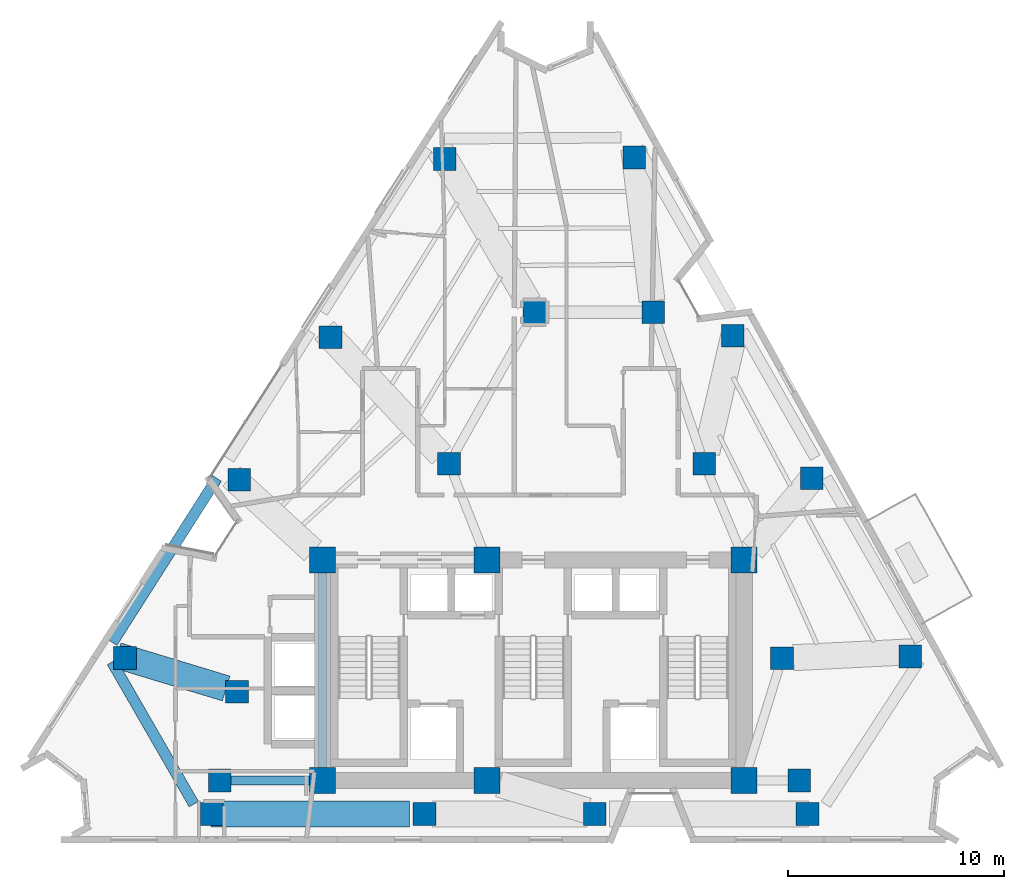
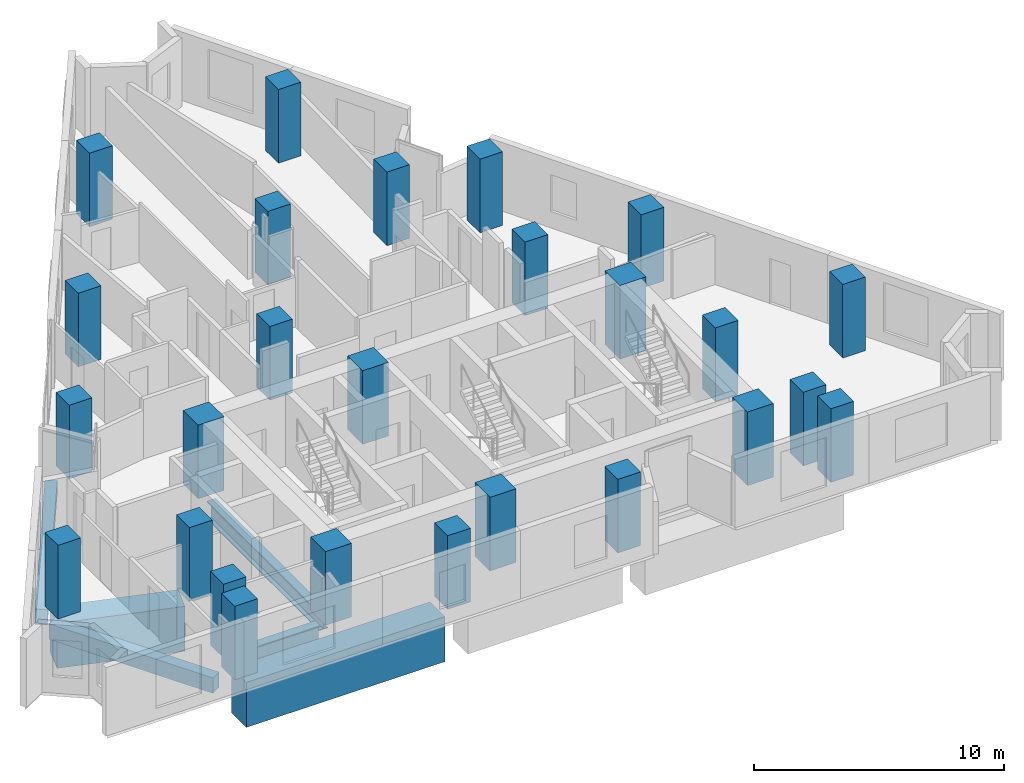
# One storey, part 1 of 11: 26 columns, 6 beams.
"""IFC4 building model written with IfcOpenShell, lengths in metres."""

from ifc_helpers import new_model, si_unit, direction, frame, origin, origin_2d, place, context, subcontext, project, spatial, rectangle, i_section, extrude, material, material_profile, profile_set, type_object, element, save


model = new_model("IFC4")

# Units and contexts
model_context = context("Model", 3, precision=1e-05, world=origin(), true_north=direction((0.0, 1.0)))
body_context = subcontext(model_context, "Body", "Model", "MODEL_VIEW")
ifc_project = project(units=[si_unit("LENGTHUNIT", "METRE"), si_unit("AREAUNIT", "SQUARE_METRE"), si_unit("VOLUMEUNIT", "CUBIC_METRE"), si_unit("PLANEANGLEUNIT", "RADIAN"), si_unit("MASSUNIT", "GRAM", prefix="KILO")], contexts=[model_context])

# Site, building, storey
site_placement = place(None, origin())
site = spatial("IfcSite", under=ifc_project, at=site_placement, CompositionType="ELEMENT")
building_placement = place(site_placement, origin())
building = spatial("IfcBuilding", under=site, at=building_placement, Name="Almagre Mirador Tower", CompositionType="ELEMENT")
storey_placement = place(building_placement, frame((0.0, 0.0, 153.60009765625)))
storey = spatial("IfcBuildingStorey", under=building, at=storey_placement, Name="L39", CompositionType="ELEMENT", Elevation=153.60009765625)

# Columns
ifc_material_1 = material(Name="Concrete C60/75", Category="concrete")
ifc_material_profile_1 = material_profile(ifc_material_1, rectangle(XDim=1.050048828125, YDim=1.050048828125, at=origin_2d()), Name="RC1050X1050")
ifc_profile_set_1 = profile_set([ifc_material_profile_1], Name="Concrete C60/75")
column_type_1 = type_object("IfcColumnType", Name="COL-RC1050", PredefinedType="COLUMN", material=ifc_profile_set_1)
for number, where, z_axis, x_axis, name in (
    (1, (22.800048828125, 4.550048828125, 0.0), (0.0, 0.0, 1.0), (1.0, 0.0, 0.0), "L39 interior transfer column MC1"),
    (2, (49.60009765625, 4.550048828125, 0.0), (0.0, 0.0, 1.0), (1.0, 0.0, 0.0), "L39 interior transfer column MC2"),
    (3, (48.800048828125, 10.199951171875, 0.0), (0.0, 0.0, 1.0), (1.0, 0.0, 0.0), "L39 interior transfer column MC3"),
    (4, (45.199951171875, 19.199951171875, 0.0), (0.0, 0.0, 1.0), (1.0, 0.0, 0.0), "L39 interior transfer column MC5"),
    (5, (42.85009765625, 26.199951171875, 0.0), (0.0, 0.0, 1.0), (1.0, 0.0, 0.0), "L39 interior transfer column MC6"),
    (6, (37.35009765625, 26.199951171875, 0.0), (0.0, 0.0, 1.0), (1.0, 0.0, 0.0), "L39 interior transfer column MC7"),
    (7, (33.39990234375, 19.199951171875, 0.0), (0.0, 0.0, 1.0), (1.0, 0.0, 0.0), "L39 interior transfer column MC8"),
    (8, (23.60009765625, 8.64990234375, 0.0), (0.0, 0.0, 1.0), (1.0, 0.0, 0.0), "L39 interior transfer column MC10"),
    (9, (22.424072265625, 3.0, 0.0), (0.0, 0.0, 1.0), (1.0, 0.0, 0.0), "L39 perimeter column PC01"),
    (10, (32.263916015625, 3.0, 0.0), (0.0, 0.0, 1.0), (1.0, 0.0, 0.0), "L39 perimeter column PC02"),
    (11, (40.135986328125, 3.0, 0.0), (0.0, 0.0, 1.0), (1.0, 0.0, 0.0), "L39 perimeter column PC03"),
    (12, (49.97607421875, 3.0, 0.0), (0.0, 0.0, 1.0), (1.0, 0.0, 0.0), "L39 perimeter column PC04"),
    (13, (54.73388671875, 10.282958984375, 0.0), (0.0, 0.0, 1.0), (1.0, 0.0, 0.0), "L39 perimeter column PC05"),
    (14, (50.174072265625, 18.52294921875, 0.0), (0.0, 0.0, 1.0), (1.0, 0.0, 0.0), "L39 perimeter column PC06"),
    (15, (46.52587890625, 25.114990234375, 0.0), (0.0, 0.0, 1.0), (1.0, 0.0, 0.0), "L39 perimeter column PC07"),
    (16, (41.966064453125, 33.35498046875, 0.0), (0.0, 0.0, 1.0), (1.0, 0.0, 0.0), "L39 perimeter column PC08"),
    (17, (33.201904296875, 33.2890625, 0.0), (0.0, 0.0, 1.0), (1.0, 0.0, 0.0), "L39 perimeter column PC09"),
    (18, (27.922119140625, 25.049072265625, 0.0), (0.0, 0.0, 1.0), (1.0, 0.0, 0.0), "L39 perimeter column PC10"),
    (19, (23.697998046875, 18.45703125, 0.0), (0.0, 0.0, 1.0), (1.0, 0.0, 0.0), "L39 perimeter column PC11"),
    (20, (18.41796875, 10.217041015625, 0.0), (0.0, 0.0, 1.0), (1.0, 0.0, 0.0), "L39 perimeter column PC12"),
):
    element("IfcColumn", number, at=place(storey_placement, frame(where, z_axis=z_axis, x_axis=x_axis)), inside=storey, type_object=column_type_1, Name=name, PredefinedType="COLUMN", context=body_context, shape_type="SweptSolid", body=[
        extrude(rectangle(XDim=1.050048828125, YDim=1.050048828125, at=origin_2d()), origin(), (0.0, 0.0, 1.0), 3.599853515625),
    ])
ifc_material_2 = material(Name="Concrete C60/75", Category="concrete")
ifc_material_profile_2 = material_profile(ifc_material_2, rectangle(XDim=1.199951171875, YDim=1.199951171875, at=origin_2d()), Name="RC1200X1200")
ifc_profile_set_2 = profile_set([ifc_material_profile_2], Name="Concrete C60/75")
column_type_2 = type_object("IfcColumnType", Name="COL-RC1200", PredefinedType="COLUMN", material=ifc_profile_set_2)
for number, where, z_axis, x_axis, name in (
    (21, (27.550048828125, 4.550048828125, 0.0), (0.0, 0.0, 1.0), (1.0, 0.0, 0.0), "L39 core spine column CC1"),
    (22, (35.14990234375, 4.550048828125, 0.0), (0.0, 0.0, 1.0), (1.0, 0.0, 0.0), "L39 core spine column CC2"),
    (23, (47.050048828125, 4.550048828125, 0.0), (0.0, 0.0, 1.0), (1.0, 0.0, 0.0), "L39 core spine column CC3"),
    (24, (27.550048828125, 14.75, 0.0), (0.0, 0.0, 1.0), (1.0, 0.0, 0.0), "L39 core spine column CC4"),
    (25, (35.14990234375, 14.75, 0.0), (0.0, 0.0, 1.0), (1.0, 0.0, 0.0), "L39 core spine column CC5"),
    (26, (47.050048828125, 14.75, 0.0), (0.0, 0.0, 1.0), (1.0, 0.0, 0.0), "L39 core spine column CC6"),
):
    element("IfcColumn", number, at=place(storey_placement, frame(where, z_axis=z_axis, x_axis=x_axis)), inside=storey, type_object=column_type_2, Name=name, PredefinedType="COLUMN", context=body_context, shape_type="SweptSolid", body=[
        extrude(rectangle(XDim=1.199951171875, YDim=1.199951171875, at=origin_2d()), origin(), (0.0, 0.0, 1.0), 3.599853515625),
    ])

# Beams
ifc_material_3 = material(Name="Precast concrete C50/60", Category="concrete")
ifc_material_profile_3 = material_profile(ifc_material_3, rectangle(XDim=0.5, YDim=0.75, at=origin_2d()), Name="RC500X750")
ifc_profile_set_3 = profile_set([ifc_material_profile_3], Name="Precast concrete C50/60")
beam_type_1 = type_object("IfcBeamType", Name="BM-SPN-RC500X750", PredefinedType="SPANDREL", material=ifc_profile_set_3)
beam_1_placement = place(storey_placement, frame((22.669921875, 18.520263671875, -0.625), z_axis=(-0.53711935681, -0.84350625163, 0.0), x_axis=(0.84350625163, -0.53711935681, 0.0)))
element("IfcBeam", 27, at=beam_1_placement, inside=storey, type_object=beam_type_1, Name="L39 perimeter spandrel beam PC11-PC12", PredefinedType="SPANDREL", context=body_context, shape_type="SweptSolid", body=[
    extrude(rectangle(XDim=0.5, YDim=0.75, at=origin_2d()), origin(), (0.0, 0.0, 1.0), 9.00341796875),
])
beam_2_placement = place(storey_placement, frame((17.814208984375, 10.028076171875, -0.625), z_axis=(0.499261771352, -0.866451200972, 0.0), x_axis=(0.866451200972, 0.499261771352, 0.0)))
element("IfcBeam", 28, at=beam_2_placement, inside=storey, type_object=beam_type_1, Name="L39 perimeter spandrel beam PC12-PC01", PredefinedType="SPANDREL", context=body_context, shape_type="SweptSolid", body=[
    extrude(rectangle(XDim=0.5, YDim=0.75, at=origin_2d()), origin(), (0.0, 0.0, 1.0), 7.58642578125),
])
ifc_material_4 = material(Name="Steel ASTM A992 Grade 50", Category="steel")
ifc_material_profile_4 = material_profile(ifc_material_4, i_section(OverallWidth=0.404052734375, OverallDepth=0.884033203125, WebThickness=0.0244140625, FlangeThickness=0.0439453125, FilletRadius=0.02490234375, at=origin_2d()), Name="W33X291")
ifc_profile_set_4 = profile_set([ifc_material_profile_4], Name="Steel ASTM A992 Grade 50")
beam_type_2 = type_object("IfcBeamType", Name="BM-STL-W33X291", PredefinedType="BEAM", material=ifc_profile_set_4)
beam_3_placement = place(storey_placement, frame((27.550048828125, 5.14990234375, -0.692138671875), z_axis=(0.0, 1.0, 0.0), x_axis=(-1.0, 0.0, 0.0)))
element("IfcBeam", 29, at=beam_3_placement, inside=storey, type_object=beam_type_2, Name="L39 core tie girder CC1-CC4", PredefinedType="BEAM", context=body_context, shape_type="SweptSolid", body=[
    extrude(i_section(OverallWidth=0.404052734375, OverallDepth=0.884033203125, WebThickness=0.0244140625, FlangeThickness=0.0439453125, FilletRadius=0.02490234375, at=origin_2d()), origin(), (0.0, 0.0, 1.0), 9.0),
])
beam_4_placement = place(storey_placement, frame((23.324951171875, 4.550048828125, -0.692138671875), z_axis=(1.0, 0.0, 0.0), x_axis=(0.0, 1.0, 0.0)))
element("IfcBeam", 30, at=beam_4_placement, inside=storey, type_object=beam_type_2, Name="L39 core tie girder MC1-CC1", PredefinedType="BEAM", context=body_context, shape_type="SweptSolid", body=[
    extrude(i_section(OverallWidth=0.404052734375, OverallDepth=0.884033203125, WebThickness=0.0244140625, FlangeThickness=0.0439453125, FilletRadius=0.02490234375, at=origin_2d()), origin(), (0.0, 0.0, 1.0), 3.625),
])
ifc_material_5 = material(Name="Concrete C60/75", Category="concrete")
ifc_material_profile_5 = material_profile(ifc_material_5, rectangle(XDim=1.199951171875, YDim=2.199951171875, at=origin_2d()), Name="RC1200X2200")
ifc_profile_set_5 = profile_set([ifc_material_profile_5], Name="Concrete C60/75")
beam_type_3 = type_object("IfcBeamType", Name="BM-XFER-RC1200X2200", PredefinedType="BEAM", material=ifc_profile_set_5)
beam_5_placement = place(storey_placement, frame((22.388916015625, 3.0, -1.35009765625), z_axis=(1.0, 0.0, 0.0), x_axis=(0.0, 1.0, 0.0)))
element("IfcBeam", 31, at=beam_5_placement, inside=storey, type_object=beam_type_3, Name="L39 perimeter spandrel beam PC01-PC02", PredefinedType="BEAM", context=body_context, shape_type="SweptSolid", body=[
    extrude(rectangle(XDim=1.199951171875, YDim=2.199951171875, at=origin_2d()), origin(), (0.0, 0.0, 1.0), 9.190185546875),
])
beam_6_placement = place(storey_placement, frame((18.054443359375, 10.330810546875, -1.35009765625), z_axis=(0.957007648209, -0.290062685068, 0.0), x_axis=(0.290062685068, 0.957007648209, 0.0)))
element("IfcBeam", 32, at=beam_6_placement, inside=storey, type_object=beam_type_3, Name="L39 radial transfer girder PC12-MC10", PredefinedType="BEAM", context=body_context, shape_type="SweptSolid", body=[
    extrude(rectangle(XDim=1.199951171875, YDim=2.199951171875, at=origin_2d()), origin(), (0.0, 0.0, 1.0), 5.269775390625),
])

save(model, "model.ifc")
